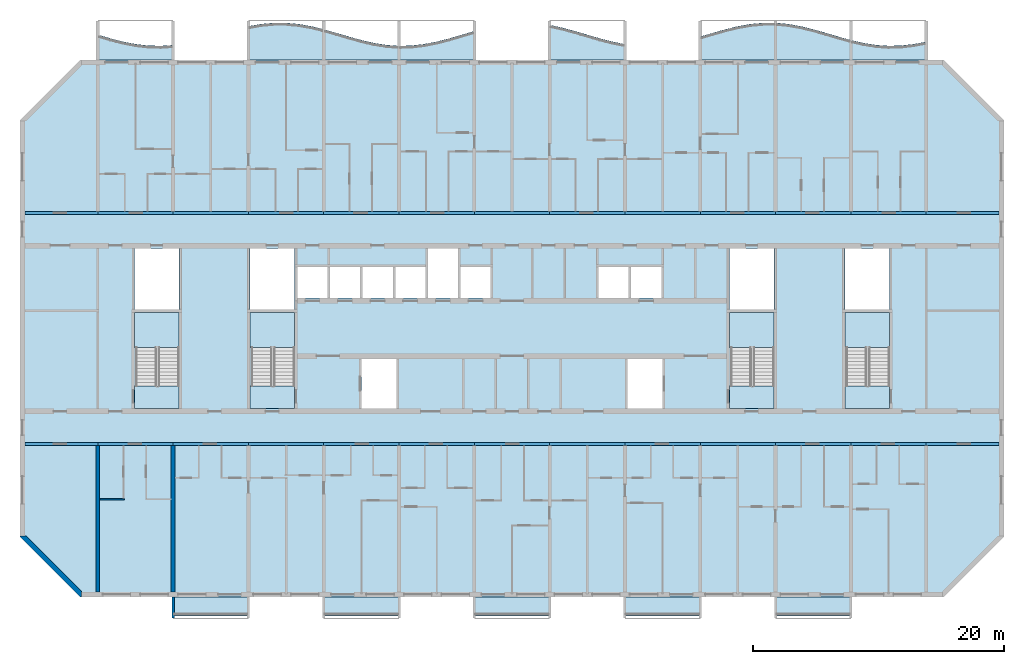
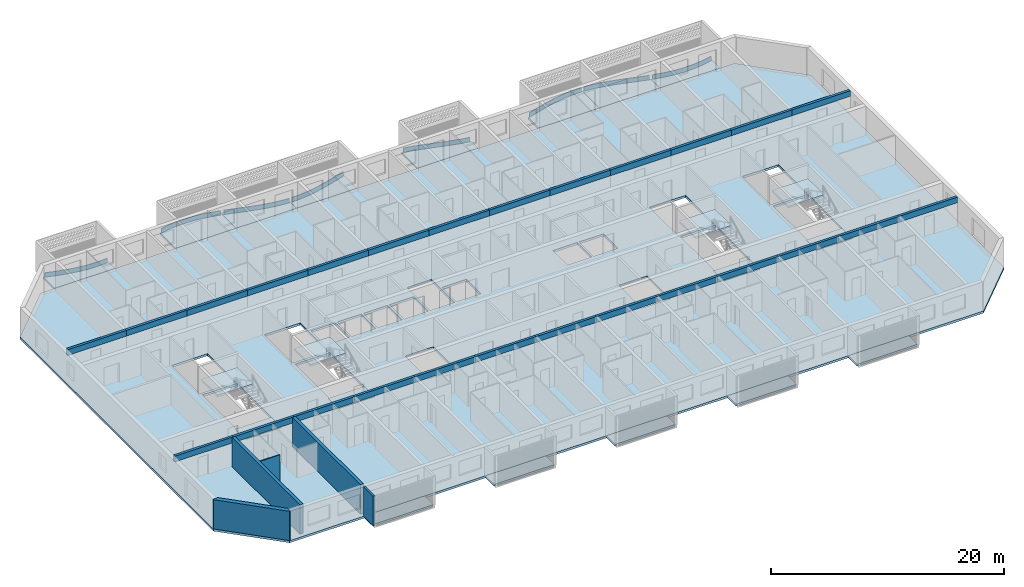
# One storey, part 1 of 33: 26 beams, 22 slabs, 8 plates, 5 walls, 4 elements without a shape of their own.
"""IFC4 building model written with IfcOpenShell, lengths in metres."""

from ifc_helpers import new_model, si_unit, direction, frame, frame_2d, origin, origin_2d, place, context, subcontext, project, spatial, polyline, rectangle, outline, extrude, source, transform, mapped, material, layer, layer_set, material_profile, profile_set, type_object, element, aggregate, save


model = new_model("IFC4")

# Units and contexts
model_context = context("Model", 3, precision=1e-05, world=origin(), true_north=direction((0.0, 1.0)))
body_context = subcontext(model_context, "Body", "Model", "MODEL_VIEW")
ifc_project = project(units=[si_unit("LENGTHUNIT", "METRE"), si_unit("AREAUNIT", "SQUARE_METRE"), si_unit("VOLUMEUNIT", "CUBIC_METRE"), si_unit("PLANEANGLEUNIT", "RADIAN"), si_unit("MASSUNIT", "GRAM", prefix="KILO")], contexts=[model_context])

# Site, building, storey
site_placement = place(None, origin())
site = spatial("IfcSite", under=ifc_project, at=site_placement, CompositionType="ELEMENT")
building_placement = place(site_placement, origin())
building = spatial("IfcBuilding", under=site, at=building_placement, Name="Poui Terraces", CompositionType="ELEMENT")
storey_placement = place(building_placement, frame((0.0, 0.0, 132.300048828125)))
storey = spatial("IfcBuildingStorey", under=building, at=storey_placement, Name="L36", CompositionType="ELEMENT", Elevation=132.300048828125)

# Beams
ifc_material_1 = material(Name="Concrete 65 MPa", Category="concrete")
ifc_material_profile = material_profile(ifc_material_1, rectangle(XDim=0.25, YDim=0.60009765625, at=origin_2d()), Name="RC 250x600")
ifc_profile_set = profile_set([ifc_material_profile], Name="Concrete 65 MPa")
beam_type = type_object("IfcBeamType", Name="COUPLING BEAM 250x600 65MPa", PredefinedType="BEAM", material=ifc_profile_set)
shared_shape_1 = source(origin(), body_context, "Body", "SweptSolid", [
    extrude(rectangle(XDim=0.25, YDim=0.60009765625, at=origin_2d()), origin(), (0.0, 0.0, 1.0), 5.800048828125),
])
for number, where, z_axis, x_axis, name in (
    (1, (12.199951171875, 12.0, 2.77001953125), (1.0, 0.0, 0.0), (0.0, 1.0, 0.0), "COUPLING BEAM LINE B BAY 1"),
    (2, (84.0, 12.0, 2.77001953125), (1.0, 0.0, 0.0), (0.0, 1.0, 0.0), "COUPLING BEAM LINE B BAY 13"),
    (3, (12.199951171875, 30.39990234375, 2.77001953125), (1.0, 0.0, 0.0), (0.0, 1.0, 0.0), "COUPLING BEAM LINE E BAY 1"),
    (4, (84.0, 30.39990234375, 2.77001953125), (1.0, 0.0, 0.0), (0.0, 1.0, 0.0), "COUPLING BEAM LINE E BAY 13"),
):
    element("IfcBeam", number, at=place(storey_placement, frame(where, z_axis=z_axis, x_axis=x_axis)), inside=storey, type_object=beam_type, Name=name, PredefinedType="BEAM", context=body_context, shape_type="MappedRepresentation", body=[
        mapped(shared_shape_1, transform((0.0, 0.0, 0.0))),
    ])
shared_shape_2 = source(origin(), body_context, "Body", "SweptSolid", [
    extrude(rectangle(XDim=0.25, YDim=0.60009765625, at=origin_2d()), origin(), (0.0, 0.0, 1.0), 6.0),
])
for number, where, z_axis, x_axis, name in (
    (5, (18.0, 12.0, 2.77001953125), (1.0, 0.0, 0.0), (0.0, 1.0, 0.0), "COUPLING BEAM LINE B BAY 2"),
    (6, (24.0, 12.0, 2.77001953125), (1.0, 0.0, 0.0), (0.0, 1.0, 0.0), "COUPLING BEAM LINE B BAY 3"),
    (7, (30.0, 12.0, 2.77001953125), (1.0, 0.0, 0.0), (0.0, 1.0, 0.0), "COUPLING BEAM LINE B BAY 4"),
    (8, (36.0, 12.0, 2.77001953125), (1.0, 0.0, 0.0), (0.0, 1.0, 0.0), "COUPLING BEAM LINE B BAY 5"),
    (9, (42.0, 12.0, 2.77001953125), (1.0, 0.0, 0.0), (0.0, 1.0, 0.0), "COUPLING BEAM LINE B BAY 6"),
    (10, (48.0, 12.0, 2.77001953125), (1.0, 0.0, 0.0), (0.0, 1.0, 0.0), "COUPLING BEAM LINE B BAY 7"),
    (11, (54.0, 12.0, 2.77001953125), (1.0, 0.0, 0.0), (0.0, 1.0, 0.0), "COUPLING BEAM LINE B BAY 8"),
    (12, (60.0, 12.0, 2.77001953125), (1.0, 0.0, 0.0), (0.0, 1.0, 0.0), "COUPLING BEAM LINE B BAY 9"),
    (13, (66.0, 12.0, 2.77001953125), (1.0, 0.0, 0.0), (0.0, 1.0, 0.0), "COUPLING BEAM LINE B BAY 10"),
    (14, (72.0, 12.0, 2.77001953125), (1.0, 0.0, 0.0), (0.0, 1.0, 0.0), "COUPLING BEAM LINE B BAY 11"),
    (15, (78.0, 12.0, 2.77001953125), (1.0, 0.0, 0.0), (0.0, 1.0, 0.0), "COUPLING BEAM LINE B BAY 12"),
    (16, (18.0, 30.39990234375, 2.77001953125), (1.0, 0.0, 0.0), (0.0, 1.0, 0.0), "COUPLING BEAM LINE E BAY 2"),
    (17, (24.0, 30.39990234375, 2.77001953125), (1.0, 0.0, 0.0), (0.0, 1.0, 0.0), "COUPLING BEAM LINE E BAY 3"),
    (18, (30.0, 30.39990234375, 2.77001953125), (1.0, 0.0, 0.0), (0.0, 1.0, 0.0), "COUPLING BEAM LINE E BAY 4"),
    (19, (36.0, 30.39990234375, 2.77001953125), (1.0, 0.0, 0.0), (0.0, 1.0, 0.0), "COUPLING BEAM LINE E BAY 5"),
    (20, (42.0, 30.39990234375, 2.77001953125), (1.0, 0.0, 0.0), (0.0, 1.0, 0.0), "COUPLING BEAM LINE E BAY 6"),
    (21, (48.0, 30.39990234375, 2.77001953125), (1.0, 0.0, 0.0), (0.0, 1.0, 0.0), "COUPLING BEAM LINE E BAY 7"),
    (22, (54.0, 30.39990234375, 2.77001953125), (1.0, 0.0, 0.0), (0.0, 1.0, 0.0), "COUPLING BEAM LINE E BAY 8"),
    (23, (60.0, 30.39990234375, 2.77001953125), (1.0, 0.0, 0.0), (0.0, 1.0, 0.0), "COUPLING BEAM LINE E BAY 9"),
    (24, (66.0, 30.39990234375, 2.77001953125), (1.0, 0.0, 0.0), (0.0, 1.0, 0.0), "COUPLING BEAM LINE E BAY 10"),
    (25, (72.0, 30.39990234375, 2.77001953125), (1.0, 0.0, 0.0), (0.0, 1.0, 0.0), "COUPLING BEAM LINE E BAY 11"),
    (26, (78.0, 30.39990234375, 2.77001953125), (1.0, 0.0, 0.0), (0.0, 1.0, 0.0), "COUPLING BEAM LINE E BAY 12"),
):
    element("IfcBeam", number, at=place(storey_placement, frame(where, z_axis=z_axis, x_axis=x_axis)), inside=storey, type_object=beam_type, Name=name, PredefinedType="BEAM", context=body_context, shape_type="MappedRepresentation", body=[
        mapped(shared_shape_2, transform((0.0, 0.0, 0.0))),
    ])

# Slabs
ifc_material_2 = material(Name="Precast concrete 40 MPa", Category="concrete")
ifc_layer_1 = layer(ifc_material_2, 0.199951171875)
ifc_layer_set_1 = layer_set([ifc_layer_1], Name="Precast concrete 40 MPa")
slab_type_1 = type_object("IfcSlabType", Name="BALCONY SLAB 200", PredefinedType="FLOOR", material=ifc_layer_set_1)
slab_1_placement = place(storey_placement, frame((0.0, 0.0, -0.2001953125)))
element("IfcSlab", 27, at=slab_1_placement, inside=storey, type_object=slab_type_1, Name="BALCONY SLAB", PredefinedType="FLOOR", context=body_context, shape_type="SweptSolid", body=[
    extrude(outline(polyline([(18.0, 42.60009765625), (24.0, 42.60009765625), (24.0, 43.77392578125), (23.0, 43.702880859375), (22.0, 43.726806640625), (21.0, 43.84326171875), (20.0, 44.0400390625), (19.0, 44.297119140625), (18.0, 44.587890625), (18.0, 42.60009765625)])), origin(), (0.0, 0.0, 1.0), 0.2001953125),
])
slab_2_placement = place(storey_placement, frame((0.0, 0.0, -0.2001953125)))
element("IfcSlab", 28, at=slab_2_placement, inside=storey, type_object=slab_type_1, Name="BALCONY SLAB", PredefinedType="FLOOR", context=body_context, shape_type="SweptSolid", body=[
    extrude(outline(polyline([(30.0, 42.60009765625), (36.0, 42.60009765625), (36.0, 45.021484375), (35.0, 45.265869140625), (34.0, 45.444091796875), (33.0, 45.5380859375), (32.0, 45.5380859375), (31.0, 45.444091796875), (30.0, 45.265869140625), (30.0, 42.60009765625)])), origin(), (0.0, 0.0, 1.0), 0.2001953125),
])
slab_3_placement = place(storey_placement, frame((0.0, 0.0, -0.2001953125)))
element("IfcSlab", 29, at=slab_3_placement, inside=storey, type_object=slab_type_1, Name="BALCONY SLAB", PredefinedType="FLOOR", context=body_context, shape_type="SweptSolid", body=[
    extrude(outline(polyline([(36.0, 42.60009765625), (42.0, 42.60009765625), (42.0, 43.702880859375), (41.0, 43.77392578125), (40.0, 43.9326171875), (39.0, 44.16259765625), (38.0, 44.43994140625), (37.0, 44.736572265625), (36.0, 45.021484375), (36.0, 42.60009765625)])), origin(), (0.0, 0.0, 1.0), 0.2001953125),
])
slab_4_placement = place(storey_placement, frame((0.0, 0.0, -0.2001953125)))
element("IfcSlab", 30, at=slab_4_placement, inside=storey, type_object=slab_type_1, Name="BALCONY SLAB", PredefinedType="FLOOR", context=body_context, shape_type="SweptSolid", body=[
    extrude(outline(polyline([(42.0, 42.60009765625), (48.0, 42.60009765625), (48.0, 44.88232421875), (47.0, 44.587890625), (46.0, 44.297119140625), (45.0, 44.0400390625), (44.0, 43.84326171875), (43.0, 43.726806640625), (42.0, 43.702880859375), (42.0, 42.60009765625)])), origin(), (0.0, 0.0, 1.0), 0.2001953125),
])
slab_5_placement = place(storey_placement, frame((0.0, 0.0, -0.2001953125)))
element("IfcSlab", 31, at=slab_5_placement, inside=storey, type_object=slab_type_1, Name="BALCONY SLAB", PredefinedType="FLOOR", context=body_context, shape_type="SweptSolid", body=[
    extrude(outline(polyline([(54.0, 42.60009765625), (60.0, 42.60009765625), (60.0, 43.84326171875), (59.0, 44.0400390625), (58.0, 44.297119140625), (57.0, 44.587890625), (56.0, 44.88232421875), (55.0, 45.150390625), (54.0, 45.364501953125), (54.0, 42.60009765625)])), origin(), (0.0, 0.0, 1.0), 0.2001953125),
])
slab_6_placement = place(storey_placement, frame((0.0, 0.0, -0.2001953125)))
element("IfcSlab", 32, at=slab_6_placement, inside=storey, type_object=slab_type_1, Name="BALCONY SLAB", PredefinedType="FLOOR", context=body_context, shape_type="SweptSolid", body=[
    extrude(outline(polyline([(66.0, 42.60009765625), (72.0, 42.60009765625), (72.0, 45.5380859375), (71.0, 45.5380859375), (70.0, 45.444091796875), (69.0, 45.265869140625), (68.0, 45.021484375), (67.0, 44.736572265625), (66.0, 44.43994140625), (66.0, 42.60009765625)])), origin(), (0.0, 0.0, 1.0), 0.2001953125),
])
slab_7_placement = place(storey_placement, frame((0.0, 0.0, -0.2001953125)))
element("IfcSlab", 33, at=slab_7_placement, inside=storey, type_object=slab_type_1, Name="BALCONY SLAB", PredefinedType="FLOOR", context=body_context, shape_type="SweptSolid", body=[
    extrude(outline(polyline([(72.0, 42.60009765625), (78.0, 42.60009765625), (78.0, 44.16259765625), (77.0, 44.43994140625), (76.0, 44.736572265625), (75.0, 45.021484375), (74.0, 45.265869140625), (73.0, 45.444091796875), (72.0, 45.5380859375), (72.0, 42.60009765625)])), origin(), (0.0, 0.0, 1.0), 0.2001953125),
])
slab_8_placement = place(storey_placement, frame((0.0, 0.0, -0.2001953125)))
element("IfcSlab", 34, at=slab_8_placement, inside=storey, type_object=slab_type_1, Name="BALCONY SLAB", PredefinedType="FLOOR", context=body_context, shape_type="SweptSolid", body=[
    extrude(outline(polyline([(78.0, 42.60009765625), (84.0, 42.60009765625), (84.0, 44.0400390625), (83.0, 43.84326171875), (82.0, 43.726806640625), (81.0, 43.702880859375), (80.0, 43.77392578125), (79.0, 43.9326171875), (78.0, 44.16259765625), (78.0, 42.60009765625)])), origin(), (0.0, 0.0, 1.0), 0.2001953125),
])

# Stair, slabs
stair_type = type_object("IfcStairType", Name="EXIT STAIR 1650 65 MPA", PredefinedType="HALF_TURN_STAIR", material=ifc_material_1)
stair_1_placement = place(storey_placement, origin())
stair_1 = element("IfcStair", 35, at=stair_1_placement, inside=storey, type_object=stair_type, Name="L36 CORE STAIR EAST", PredefinedType="HALF_TURN_STAIR")
ifc_layer_2 = layer(ifc_material_1, 0.199951171875)
ifc_layer_set_2 = layer_set([ifc_layer_2], Name="Concrete 65 MPa")
slab_type_2 = type_object("IfcSlabType", Name="STAIR LANDING 200 65 MPA", PredefinedType="LANDING", material=ifc_layer_set_2)
slab_9_placement = place(storey_placement, frame((0.0, 0.0, 1.449951171875)))
slab_9 = element("IfcSlab", 36, at=slab_9_placement, type_object=slab_type_2, Name="ST-CE landing 1", PredefinedType="LANDING", context=body_context, shape_type="SweptSolid", body=[
    extrude(outline(polyline([(68.324951171875, 19.679931640625), (71.875, 19.679931640625), (71.875, 22.47509765625), (68.324951171875, 22.47509765625), (68.324951171875, 19.679931640625)])), origin(), (0.0, 0.0, 1.0), 0.199951171875),
])
slab_10_placement = place(storey_placement, frame((0.0, 0.0, -0.2001953125)))
slab_10 = element("IfcSlab", 37, at=slab_10_placement, type_object=slab_type_2, Name="ST-CE landing 2", PredefinedType="LANDING", context=body_context, shape_type="SweptSolid", body=[
    extrude(outline(polyline([(68.324951171875, 14.824951171875), (71.875, 14.824951171875), (71.875, 16.60009765625), (68.324951171875, 16.60009765625), (68.324951171875, 14.824951171875)])), origin(), (0.0, 0.0, 1.0), 0.2001953125),
])
aggregate(stair_1, [slab_9, slab_10])

stair_2_placement = place(storey_placement, origin())
stair_2 = element("IfcStair", 38, at=stair_2_placement, inside=storey, type_object=stair_type, Name="L36 CORE STAIR WEST", PredefinedType="HALF_TURN_STAIR")
slab_11_placement = place(storey_placement, frame((0.0, 0.0, 1.449951171875)))
slab_11 = element("IfcSlab", 39, at=slab_11_placement, type_object=slab_type_2, Name="ST-CW landing 1", PredefinedType="LANDING", context=body_context, shape_type="SweptSolid", body=[
    extrude(outline(polyline([(30.125, 19.679931640625), (33.675048828125, 19.679931640625), (33.675048828125, 22.47509765625), (30.125, 22.47509765625), (30.125, 19.679931640625)])), origin(), (0.0, 0.0, 1.0), 0.199951171875),
])
slab_12_placement = place(storey_placement, frame((0.0, 0.0, -0.2001953125)))
slab_12 = element("IfcSlab", 40, at=slab_12_placement, type_object=slab_type_2, Name="ST-CW landing 2", PredefinedType="LANDING", context=body_context, shape_type="SweptSolid", body=[
    extrude(outline(polyline([(30.125, 14.824951171875), (33.675048828125, 14.824951171875), (33.675048828125, 16.60009765625), (30.125, 16.60009765625), (30.125, 14.824951171875)])), origin(), (0.0, 0.0, 1.0), 0.2001953125),
])
aggregate(stair_2, [slab_11, slab_12])

stair_3_placement = place(storey_placement, origin())
stair_3 = element("IfcStair", 41, at=stair_3_placement, inside=storey, type_object=stair_type, Name="L36 TIP STAIR EAST", PredefinedType="HALF_TURN_STAIR")
slab_13_placement = place(storey_placement, frame((0.0, 0.0, 1.449951171875)))
slab_13 = element("IfcSlab", 42, at=slab_13_placement, type_object=slab_type_2, Name="ST-E landing 1", PredefinedType="LANDING", context=body_context, shape_type="SweptSolid", body=[
    extrude(outline(polyline([(77.52490234375, 19.679931640625), (81.074951171875, 19.679931640625), (81.074951171875, 22.47509765625), (77.52490234375, 22.47509765625), (77.52490234375, 19.679931640625)])), origin(), (0.0, 0.0, 1.0), 0.199951171875),
])
slab_14_placement = place(storey_placement, frame((0.0, 0.0, -0.2001953125)))
slab_14 = element("IfcSlab", 43, at=slab_14_placement, type_object=slab_type_2, Name="ST-E landing 2", PredefinedType="LANDING", context=body_context, shape_type="SweptSolid", body=[
    extrude(outline(polyline([(77.52490234375, 14.824951171875), (81.074951171875, 14.824951171875), (81.074951171875, 16.60009765625), (77.52490234375, 16.60009765625), (77.52490234375, 14.824951171875)])), origin(), (0.0, 0.0, 1.0), 0.2001953125),
])
aggregate(stair_3, [slab_13, slab_14])

stair_4_placement = place(storey_placement, origin())
stair_4 = element("IfcStair", 44, at=stair_4_placement, inside=storey, type_object=stair_type, Name="L36 TIP STAIR WEST", PredefinedType="HALF_TURN_STAIR")
slab_15_placement = place(storey_placement, frame((0.0, 0.0, 1.449951171875)))
slab_15 = element("IfcSlab", 45, at=slab_15_placement, type_object=slab_type_2, Name="ST-W landing 1", PredefinedType="LANDING", context=body_context, shape_type="SweptSolid", body=[
    extrude(outline(polyline([(20.925048828125, 19.679931640625), (24.47509765625, 19.679931640625), (24.47509765625, 22.47509765625), (20.925048828125, 22.47509765625), (20.925048828125, 19.679931640625)])), origin(), (0.0, 0.0, 1.0), 0.199951171875),
])
slab_16_placement = place(storey_placement, frame((0.0, 0.0, -0.2001953125)))
slab_16 = element("IfcSlab", 46, at=slab_16_placement, type_object=slab_type_2, Name="ST-W landing 2", PredefinedType="LANDING", context=body_context, shape_type="SweptSolid", body=[
    extrude(outline(polyline([(20.925048828125, 14.824951171875), (24.47509765625, 14.824951171875), (24.47509765625, 16.60009765625), (20.925048828125, 16.60009765625), (20.925048828125, 14.824951171875)])), origin(), (0.0, 0.0, 1.0), 0.2001953125),
])
aggregate(stair_4, [slab_15, slab_16])

# Plates
ifc_layer_3 = layer(ifc_material_2, 0.080078125)
ifc_layer_set_3 = layer_set([ifc_layer_3], Name="Precast concrete 40 MPa")
plate_type = type_object("IfcPlateType", Name="SUNSHADE UPSTAND 80", PredefinedType="SHEET", material=ifc_layer_set_3)
plate_1_placement = place(storey_placement, origin())
element("IfcPlate", 47, at=plate_1_placement, inside=storey, type_object=plate_type, Name="SUNSHADE UPSTAND", PredefinedType="SHEET", context=body_context, shape_type="SweptSolid", body=[
    extrude(outline(polyline([(19.010498046875, 44.29052734375), (18.135986328125, 44.5439453125), (18.114013671875, 44.467041015625), (18.989501953125, 44.21337890625), (19.9912109375, 43.9560546875), (20.993896484375, 43.758544921875), (21.997314453125, 43.641845703125), (23.000732421875, 43.617919921875), (23.877685546875, 43.67529296875), (23.872314453125, 43.7548828125), (22.999267578125, 43.697998046875), (22.002685546875, 43.7216796875), (21.006103515625, 43.837646484375), (20.0087890625, 44.033935546875), (19.010498046875, 44.29052734375)])), origin(), (0.0, 0.0, 1.0), 0.449951171875),
])
plate_2_placement = place(storey_placement, origin())
element("IfcPlate", 48, at=plate_2_placement, inside=storey, type_object=plate_type, Name="SUNSHADE UPSTAND", PredefinedType="SHEET", context=body_context, shape_type="SweptSolid", body=[
    extrude(outline(polyline([(30.99462890625, 45.438720703125), (30.1181640625, 45.28662109375), (30.1318359375, 45.207763671875), (31.00537109375, 45.359375), (32.001953125, 45.452880859375), (32.998046875, 45.452880859375), (33.99462890625, 45.359375), (34.99169921875, 45.181640625), (35.865478515625, 44.970947265625), (35.884521484375, 45.048828125), (35.00830078125, 45.260009765625), (34.00537109375, 45.438720703125), (33.001953125, 45.532958984375), (31.998046875, 45.532958984375), (30.99462890625, 45.438720703125)])), origin(), (0.0, 0.0, 1.0), 0.449951171875),
])
plate_3_placement = place(storey_placement, origin())
element("IfcPlate", 49, at=plate_3_placement, inside=storey, type_object=plate_type, Name="SUNSHADE UPSTAND", PredefinedType="SHEET", context=body_context, shape_type="SweptSolid", body=[
    extrude(outline(polyline([(37.01123046875, 44.72998046875), (36.135986328125, 44.98095703125), (36.114013671875, 44.904052734375), (36.98876953125, 44.653076171875), (37.989013671875, 44.3564453125), (38.990234375, 44.07861328125), (39.992431640625, 43.848388671875), (40.995361328125, 43.689208984375), (41.871826171875, 43.621826171875), (41.878173828125, 43.70166015625), (41.004638671875, 43.768798828125), (40.007568359375, 43.927001953125), (39.009765625, 44.15625), (38.010986328125, 44.433349609375), (37.01123046875, 44.72998046875)])), origin(), (0.0, 0.0, 1.0), 0.449951171875),
])
plate_4_placement = place(storey_placement, origin())
element("IfcPlate", 50, at=plate_4_placement, inside=storey, type_object=plate_type, Name="SUNSHADE UPSTAND", PredefinedType="SHEET", context=body_context, shape_type="SweptSolid", body=[
    extrude(outline(polyline([(42.9970703125, 43.7216796875), (42.123779296875, 43.69580078125), (42.126220703125, 43.61572265625), (43.0029296875, 43.641845703125), (44.006103515625, 43.758544921875), (45.0087890625, 43.9560546875), (46.010498046875, 44.21337890625), (47.01123046875, 44.50439453125), (47.88623046875, 44.762939453125), (47.86376953125, 44.839599609375), (46.98876953125, 44.5810546875), (45.989501953125, 44.29052734375), (44.9912109375, 44.033935546875), (43.993896484375, 43.837646484375), (42.9970703125, 43.7216796875)])), origin(), (0.0, 0.0, 1.0), 0.449951171875),
])
plate_5_placement = place(storey_placement, origin())
element("IfcPlate", 51, at=plate_5_placement, inside=storey, type_object=plate_type, Name="SUNSHADE UPSTAND", PredefinedType="SHEET", context=body_context, shape_type="SweptSolid", body=[
    extrude(outline(polyline([(55.009521484375, 45.144287109375), (54.133544921875, 45.335693359375), (54.116455078125, 45.25732421875), (54.990478515625, 45.066650390625), (55.9892578125, 44.798828125), (56.98876953125, 44.50439453125), (57.989501953125, 44.21337890625), (58.9912109375, 43.9560546875), (59.8671875, 43.779541015625), (59.8828125, 43.85791015625), (59.0087890625, 44.033935546875), (58.010498046875, 44.29052734375), (57.01123046875, 44.5810546875), (56.0107421875, 44.8759765625), (55.009521484375, 45.144287109375)])), origin(), (0.0, 0.0, 1.0), 0.449951171875),
])
plate_6_placement = place(storey_placement, origin())
element("IfcPlate", 52, at=plate_6_placement, inside=storey, type_object=plate_type, Name="SUNSHADE UPSTAND", PredefinedType="SHEET", context=body_context, shape_type="SweptSolid", body=[
    extrude(outline(polyline([(66.98876953125, 44.72998046875), (66.113525390625, 44.469970703125), (66.136474609375, 44.393310546875), (67.01123046875, 44.653076171875), (68.01025390625, 44.93798828125), (69.00830078125, 45.181640625), (70.00537109375, 45.359375), (71.001953125, 45.452880859375), (71.875244140625, 45.458251953125), (71.874755859375, 45.5380859375), (71.835693359375, 45.5380859375), (70.998046875, 45.532958984375), (69.99462890625, 45.438720703125), (68.99169921875, 45.260009765625), (67.98974609375, 45.01513671875), (66.98876953125, 44.72998046875)])), origin(), (0.0, 0.0, 1.0), 0.449951171875),
])
plate_7_placement = place(storey_placement, origin())
element("IfcPlate", 53, at=plate_7_placement, inside=storey, type_object=plate_type, Name="SUNSHADE UPSTAND", PredefinedType="SHEET", context=body_context, shape_type="SweptSolid", body=[
    extrude(outline(polyline([(73.005615234375, 45.438720703125), (72.1650390625, 45.5224609375), (72.12890625, 45.52587890625), (72.12109375, 45.446533203125), (72.994384765625, 45.359375), (73.99169921875, 45.181640625), (74.98974609375, 44.93798828125), (75.98876953125, 44.653076171875), (76.989013671875, 44.3564453125), (77.8642578125, 44.111572265625), (77.8857421875, 44.188720703125), (77.010986328125, 44.433349609375), (76.01123046875, 44.72998046875), (75.01025390625, 45.01513671875), (74.00830078125, 45.260009765625), (73.005615234375, 45.438720703125)])), origin(), (0.0, 0.0, 1.0), 0.449951171875),
])
plate_8_placement = place(storey_placement, origin())
element("IfcPlate", 54, at=plate_8_placement, inside=storey, type_object=plate_type, Name="SUNSHADE UPSTAND", PredefinedType="SHEET", context=body_context, shape_type="SweptSolid", body=[
    extrude(outline(polyline([(79.007568359375, 43.927001953125), (78.1337890625, 44.12451171875), (78.1162109375, 44.046630859375), (78.992431640625, 43.848388671875), (79.995361328125, 43.689208984375), (80.9990234375, 43.617919921875), (82.002685546875, 43.641845703125), (83.006103515625, 43.758544921875), (83.882568359375, 43.92724609375), (83.867431640625, 44.005859375), (82.993896484375, 43.837890625), (81.997314453125, 43.7216796875), (81.0009765625, 43.697998046875), (80.004638671875, 43.768798828125), (79.007568359375, 43.927001953125)])), origin(), (0.0, 0.0, 1.0), 0.449951171875),
])

# Slabs
ifc_material_3 = material(Name="Concrete 40 MPa", Category="concrete")
ifc_layer_4 = layer(ifc_material_3, 0.22998046875)
ifc_layer_set_4 = layer_set([ifc_layer_4], Name="Concrete 40 MPa")
slab_type_3 = type_object("IfcSlabType", Name="FLOOR SLAB 230", PredefinedType="FLOOR", material=ifc_layer_set_4)
shared_shape_3 = source(origin(), body_context, "Body", "SweptSolid", [
    extrude(outline(polyline([(0.0, 0.0), (4.800048828125, -4.800048828125), (73.599853515625, -4.800048828125), (78.39990234375, 0.0), (78.39990234375, 33.199951171875), (73.599853515625, 38.0), (4.800048828125, 38.0), (0.0, 33.199951171875), (0.0, 0.0)]), holes=[polyline([(27.199951171875, 10.224853515625), (27.199951171875, 14.1748046875), (30.0, 14.1748046875), (30.0, 10.224853515625), (27.199951171875, 10.224853515625)]), polyline([(9.224853515625, 17.849853515625), (12.675048828125, 17.849853515625), (12.675048828125, 12.0), (12.675048828125, 10.224853515625), (9.125, 10.224853515625), (9.125, 12.0), (9.224853515625, 12.0), (9.224853515625, 17.849853515625)]), polyline([(18.425048828125, 17.849853515625), (21.875, 17.849853515625), (21.875, 12.0), (21.875, 10.224853515625), (18.324951171875, 10.224853515625), (18.324951171875, 12.0), (18.425048828125, 12.0), (18.425048828125, 17.849853515625)]), polyline([(22.099853515625, 19.02490234375), (22.099853515625, 21.5), (24.5, 21.5), (24.5, 19.02490234375), (22.099853515625, 19.02490234375)]), polyline([(24.699951171875, 19.02490234375), (24.699951171875, 21.5), (27.099853515625, 21.5), (27.099853515625, 19.02490234375), (24.699951171875, 19.02490234375)]), polyline([(27.300048828125, 19.02490234375), (27.300048828125, 21.5), (29.699951171875, 21.5), (29.699951171875, 19.02490234375), (27.300048828125, 19.02490234375)]), polyline([(29.89990234375, 19.02490234375), (29.89990234375, 21.5), (32.300048828125, 21.5), (32.300048828125, 19.02490234375), (29.89990234375, 19.02490234375)]), polyline([(9.125, 22.974853515625), (12.675048828125, 22.974853515625), (12.675048828125, 18.125), (9.125, 18.125), (9.125, 22.974853515625)]), polyline([(18.324951171875, 22.974853515625), (21.875, 22.974853515625), (21.875, 18.125), (18.324951171875, 18.125), (18.324951171875, 22.974853515625)]), polyline([(48.39990234375, 10.224853515625), (48.39990234375, 14.1748046875), (51.199951171875, 14.1748046875), (51.199951171875, 10.224853515625), (48.39990234375, 10.224853515625)]), polyline([(56.625, 17.849853515625), (60.074951171875, 17.849853515625), (60.074951171875, 12.0), (60.074951171875, 10.224853515625), (56.52490234375, 10.224853515625), (56.52490234375, 12.0), (56.625, 12.0), (56.625, 17.849853515625)]), polyline([(65.824951171875, 17.849853515625), (69.27490234375, 17.849853515625), (69.27490234375, 12.0), (69.27490234375, 10.224853515625), (65.724853515625, 10.224853515625), (65.724853515625, 12.0), (65.824951171875, 12.0), (65.824951171875, 17.849853515625)]), polyline([(35.099853515625, 19.02490234375), (35.099853515625, 21.5), (37.5, 21.5), (37.5, 19.02490234375), (35.099853515625, 19.02490234375)]), polyline([(46.099853515625, 19.02490234375), (46.099853515625, 21.5), (48.5, 21.5), (48.5, 19.02490234375), (46.099853515625, 19.02490234375)]), polyline([(48.699951171875, 19.02490234375), (48.699951171875, 21.5), (51.099853515625, 21.5), (51.099853515625, 19.02490234375), (48.699951171875, 19.02490234375)]), polyline([(56.52490234375, 18.125), (56.52490234375, 22.974853515625), (60.074951171875, 22.974853515625), (60.074951171875, 18.125), (56.52490234375, 18.125)]), polyline([(65.724853515625, 22.974853515625), (69.27490234375, 22.974853515625), (69.27490234375, 18.125), (65.724853515625, 18.125), (65.724853515625, 22.974853515625)]), polyline([(32.5, 22.974853515625), (34.89990234375, 22.974853515625), (34.89990234375, 19.02490234375), (32.5, 19.02490234375), (32.5, 22.974853515625)])]), origin(), (0.0, 0.0, 1.0), 0.230224609375),
])
slab_17_placement = place(storey_placement, frame((11.800048828125, 4.60009765625, -0.230224609375)))
element("IfcSlab", 55, at=slab_17_placement, inside=storey, type_object=slab_type_3, Name="FLOOR SLAB", PredefinedType="FLOOR", context=body_context, shape_type="MappedRepresentation", body=[
    mapped(shared_shape_3, transform((0.0, 0.0, 0.0))),
])
ifc_layer_5 = layer(ifc_material_2, 0.199951171875)
ifc_layer_set_5 = layer_set([ifc_layer_5], Name="Precast concrete 40 MPa")
slab_type_4 = type_object("IfcSlabType", Name="REAR BALCONY SLAB 200", PredefinedType="FLOOR", material=ifc_layer_set_5)
shared_shape_4 = source(origin(), body_context, "Body", "SweptSolid", [
    extrude(outline(polyline([(0.0, 0.0), (6.0, 0.0), (6.0, 1.5), (0.0, 1.5), (0.0, 0.0)])), origin(), (0.0, 0.0, 1.0), 0.2001953125),
])
for number, where, name in (
    (56, (24.0, -1.699951171875, -0.2001953125), "REAR BALCONY SLAB"),
    (57, (36.0, -1.699951171875, -0.2001953125), "REAR BALCONY SLAB"),
    (58, (48.0, -1.699951171875, -0.2001953125), "REAR BALCONY SLAB"),
    (59, (60.0, -1.699951171875, -0.2001953125), "REAR BALCONY SLAB"),
    (60, (72.0, -1.699951171875, -0.2001953125), "REAR BALCONY SLAB"),
):
    element("IfcSlab", number, at=place(storey_placement, frame(where)), inside=storey, type_object=slab_type_4, Name=name, PredefinedType="FLOOR", context=body_context, shape_type="MappedRepresentation", body=[
        mapped(shared_shape_4, transform((0.0, 0.0, 0.0))),
    ])

# Walls
ifc_layer_6 = layer(ifc_material_1, 0.300048828125)
ifc_layer_set_6 = layer_set([ifc_layer_6], Name="Concrete 65 MPa")
wall_type_1 = type_object("IfcWallType", Name="CROSS WALL 300 65MPa", PredefinedType="SHEAR", material=ifc_layer_set_6)
for number, where, z_axis, x_axis, name in (
    (61, (18.0, 0.199951171875, 0.0), (0.0, 0.0, 1.0), (0.0, 1.0, 0.0), "CROSS WALL LINE 4 SOUTH"),
    (62, (24.0, 0.199951171875, 0.0), (0.0, 0.0, 1.0), (0.0, 1.0, 0.0), "CROSS WALL LINE 5 SOUTH"),
):
    element("IfcWall", number, at=place(storey_placement, frame(where, z_axis=z_axis, x_axis=x_axis)), inside=storey, type_object=wall_type_1, Name=name, PredefinedType="SHEAR", context=body_context, shape_type="SweptSolid", body=[
        extrude(rectangle(XDim=11.675048828125, YDim=0.300048828125, at=frame_2d((5.83740234375, 0.0))), origin(), (0.0, 0.0, 1.0), 3.070068359375),
    ])
ifc_material_4 = material(Name="Plasterboard partition")
ifc_layer_7 = layer(ifc_material_4, 0.10009765625)
ifc_layer_set_7 = layer_set([ifc_layer_7], Name="Plasterboard partition")
wall_type_2 = type_object("IfcWallType", Name="FLAT PARTITION 100", PredefinedType="PARTITIONING", material=ifc_layer_set_7)
wall_1_placement = place(storey_placement, frame((18.159912109375, 7.60009765625, 0.0), z_axis=(0.0, 0.0, 1.0), x_axis=(1.0, 0.0, 0.0)))
element("IfcWall", 63, at=wall_1_placement, inside=storey, type_object=wall_type_2, Name="FLAT PARTITION 100", PredefinedType="PARTITIONING", context=body_context, shape_type="SweptSolid", body=[
    extrude(rectangle(XDim=1.940185546875, YDim=0.10009765625, at=frame_2d((0.97021484375, 0.0))), origin(), (0.0, 0.0, 1.0), 3.070068359375),
])
ifc_layer_8 = layer(ifc_material_2, 0.39990234375)
ifc_layer_set_8 = layer_set([ifc_layer_8], Name="Precast concrete 40 MPa")
wall_type_3 = type_object("IfcWallType", Name="TERRACOTTA CLAD CHAMFER WALL 400", PredefinedType="STANDARD", material=ifc_layer_set_8)
wall_2_placement = place(storey_placement, origin())
element("IfcWall", 64, at=wall_2_placement, inside=storey, type_object=wall_type_3, Name="CHAMFER WALL CH07", PredefinedType="STANDARD", context=body_context, shape_type="SweptSolid", body=[
    extrude(outline(polyline([(11.800048828125, 4.682861328125), (11.800048828125, 4.60009765625), (16.60009765625, -0.199951171875), (16.682861328125, -0.199951171875), (16.682861328125, 0.28271484375), (12.28271484375, 4.682861328125), (11.800048828125, 4.682861328125)])), origin(), (0.0, 0.0, 1.0), 3.070068359375),
])
ifc_layer_9 = layer(ifc_material_2, 0.199951171875)
ifc_layer_set_9 = layer_set([ifc_layer_9], Name="Precast concrete 40 MPa")
wall_type_4 = type_object("IfcWallType", Name="REAR FIN 200", PredefinedType="STANDARD", material=ifc_layer_set_9)
shared_shape_5 = source(origin(), body_context, "Body", "SweptSolid", [
    extrude(outline(polyline([(0.0, 0.0), (0.2001953125, 0.0), (0.2001953125, 1.650146484375), (0.0, 1.650146484375), (0.0, 0.0)])), origin(), (0.0, 0.0, 1.0), 3.099853515625),
])
wall_3_placement = place(storey_placement, frame((23.89990234375, -1.85009765625, 0.0)))
element("IfcWall", 65, at=wall_3_placement, inside=storey, type_object=wall_type_4, Name="REAR FIN", PredefinedType="STANDARD", context=body_context, shape_type="MappedRepresentation", body=[
    mapped(shared_shape_5, transform((0.0, 0.0, 0.0))),
])

save(model, "model.ifc")
